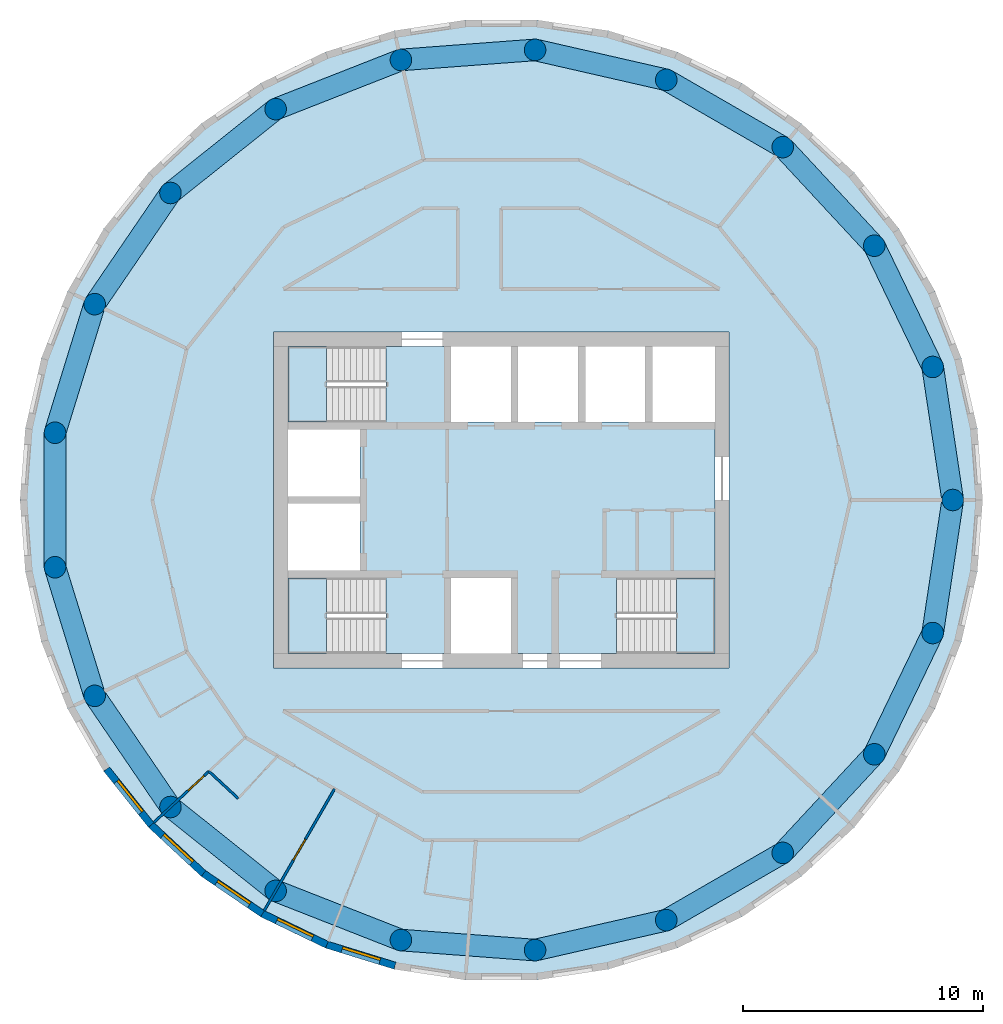
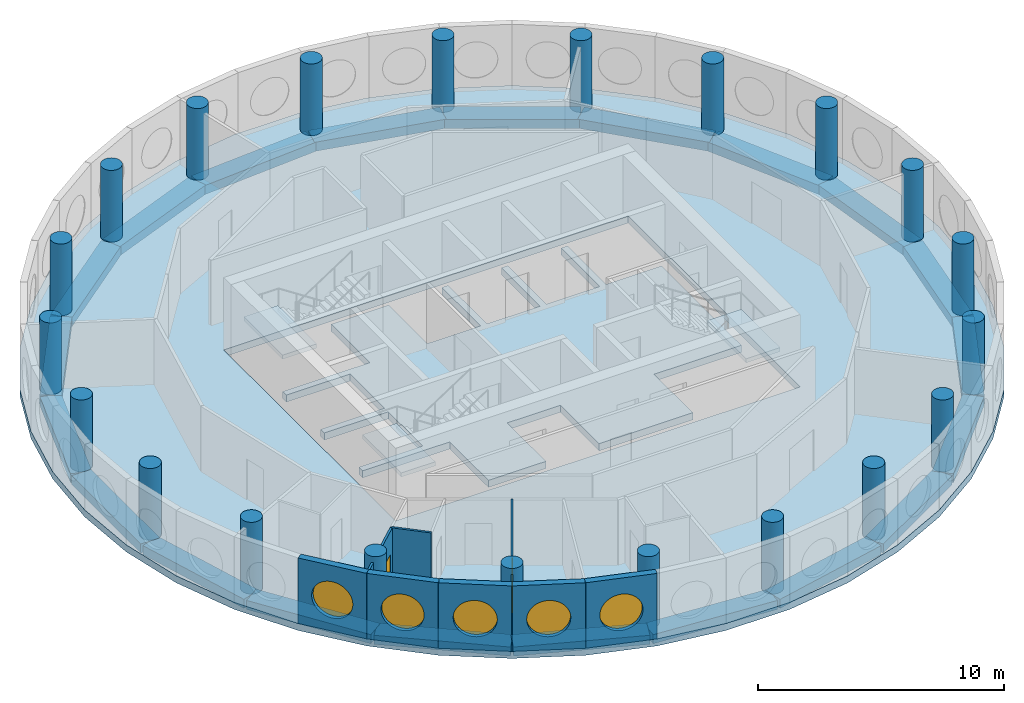
# One storey, part 1 of 12: 21 beams, 21 columns, 8 walls, 5 slabs, 5 windows, 2 doors, 7 openings, 3 elements without a shape of their own.
"""IFC4 building model written with IfcOpenShell, lengths in metres."""

import ifcopenshell
import ifcopenshell.guid

model = None  # the IFC model being written
_history = None  # IfcOwnerHistory: only IFC2X3 demands one
_inside = {}  # id of a spatial element -> (the spatial element, [elements in it])
_under = {}  # id of a project, library or spatial element -> (it, [spatial elements below it])
_declared = {}  # id of a project -> (the project, [libraries it declares])
_typed = {}  # id of a type object -> (the type object, [elements of that type])
_made_of = {}  # id of a material, layer set ... -> (it, [elements and type objects made of it])


def new_model(schema):
    """Start an empty IFC model of exactly this schema.

    Asked for "IFC4X3", IfcOpenShell would pick the latest addendum, in which some entities
    have other attributes; the version numbers below select the first issue.
    IFC2X3 requires an IfcOwnerHistory on every rooted entity: one is made here for all.
    """
    global model, _history
    if schema == "IFC4X3":
        model = ifcopenshell.file(schema_version=(4, 3, 0, 0))
    else:
        model = ifcopenshell.file(schema=schema)
    _inside.clear()
    _under.clear()
    _declared.clear()
    _typed.clear()
    _made_of.clear()
    _history = None
    if model.schema == "IFC2X3":
        org = make("IfcOrganization", Name="unknown")
        user = make(
            "IfcPersonAndOrganization",
            ThePerson=make("IfcPerson", FamilyName="unknown"),
            TheOrganization=org,
        )
        app = make(
            "IfcApplication",
            ApplicationDeveloper=org,
            Version="unknown",
            ApplicationFullName="unknown",
            ApplicationIdentifier="unknown",
        )
        _history = make(
            "IfcOwnerHistory",
            OwningUser=user,
            OwningApplication=app,
            ChangeAction="ADDED",
            CreationDate=0,
        )
    return model


def make(cls, **values):
    """One entity of the class cls with the attributes given. An attribute that is None is left unset."""
    return model.create_entity(
        cls, **{name: value for name, value in values.items() if value is not None}
    )


def rooted(cls, **values):
    """An entity with a GlobalId (a new one), such as an element, a storey or a relation."""
    return make(cls, GlobalId=ifcopenshell.guid.new(), OwnerHistory=_history, **values)


def si_unit(unit_type, name, prefix=None):
    """IfcSIUnit, for example si_unit("LENGTHUNIT", "METRE", prefix="MILLI")."""
    return make("IfcSIUnit", UnitType=unit_type, Prefix=prefix, Name=name)


def assignment(units):
    """IfcUnitAssignment: the units of a project."""
    return None if units is None else make("IfcUnitAssignment", Units=units)


def point(xyz):
    """IfcCartesianPoint."""
    return None if xyz is None else make("IfcCartesianPoint", Coordinates=xyz)


def direction(xyz):
    """IfcDirection."""
    return None if xyz is None else make("IfcDirection", DirectionRatios=xyz)


def frame(location, z_axis=None, x_axis=None):
    """IfcAxis2Placement3D, a coordinate frame: its origin and axes. An axis left out is left unset."""
    return make(
        "IfcAxis2Placement3D",
        Location=point(location),
        Axis=direction(z_axis),
        RefDirection=direction(x_axis),
    )


def frame_2d(location, x_axis=None):
    """IfcAxis2Placement2D, a coordinate frame in the plane: its origin and x axis."""
    return make(
        "IfcAxis2Placement2D", Location=point(location), RefDirection=direction(x_axis)
    )


def origin():
    """The frame at (0, 0, 0) with its axes left unset."""
    return frame((0.0, 0.0, 0.0))


def origin_2d():
    """The frame at (0, 0) in the plane with its x axis left unset."""
    return frame_2d((0.0, 0.0))


def place(relative_to, where):
    """IfcLocalPlacement: puts the frame where relative to a parent placement (None: the world)."""
    return make(
        "IfcLocalPlacement", PlacementRelTo=relative_to, RelativePlacement=where
    )


def context(
    kind, dimensions, precision=None, world=None, true_north=None, identifier=None
):
    """IfcGeometricRepresentationContext, for example the 3D "Model" context."""
    return make(
        "IfcGeometricRepresentationContext",
        ContextIdentifier=identifier,
        ContextType=kind,
        CoordinateSpaceDimension=dimensions,
        Precision=precision,
        WorldCoordinateSystem=world,
        TrueNorth=true_north,
    )


def subcontext(parent, identifier, kind, view, scale=None):
    """IfcGeometricRepresentationSubContext, for example "Body" below "Model"."""
    return make(
        "IfcGeometricRepresentationSubContext",
        ContextIdentifier=identifier,
        ContextType=kind,
        ParentContext=parent,
        TargetScale=scale,
        TargetView=view,
    )


def project(units=None, contexts=None):
    """IfcProject with its units and contexts."""
    return rooted(
        "IfcProject",
        Name="project",
        RepresentationContexts=contexts,
        UnitsInContext=assignment(units),
    )


def spatial(cls, under=None, at=None, **own):
    """A site, building, storey or space (cls), placed at a placement, below another one or the project."""
    s = rooted(cls, ObjectPlacement=at, **own)
    if under is not None:
        _under.setdefault(under.id(), (under, []))[1].append(s)
    return s


def polyline(points):
    """IfcPolyline through the points."""
    return make("IfcPolyline", Points=[point(p) for p in points])


def profile(cls, at=None, kind="AREA", **sizes):
    """A parametric profile (cls). Its sizes go by their IFC names, for example OverallWidth=200.0."""
    return make(cls, ProfileType=kind, Position=at, **sizes)


def rectangle(**sizes):
    """IfcRectangleProfileDef."""
    return profile("IfcRectangleProfileDef", **sizes)


def circle(**sizes):
    """IfcCircleProfileDef."""
    return profile("IfcCircleProfileDef", **sizes)


def outline(outer, holes=None, kind="AREA"):
    """IfcArbitraryClosedProfileDef: a profile drawn as a closed curve; with holes, ...WithVoids."""
    if holes is None:
        return make("IfcArbitraryClosedProfileDef", ProfileType=kind, OuterCurve=outer)
    return make(
        "IfcArbitraryProfileDefWithVoids",
        ProfileType=kind,
        OuterCurve=outer,
        InnerCurves=holes,
    )


def extrude(swept, where, along, depth):
    """IfcExtrudedAreaSolid: the profile swept, set in the frame where, extruded along a direction by depth."""
    return make(
        "IfcExtrudedAreaSolid",
        SweptArea=swept,
        Position=where,
        ExtrudedDirection=direction(along),
        Depth=depth,
    )


def shape(context_of_items, identifier, shape_type, items):
    """IfcShapeRepresentation: the items that make up one representation, for example the "Body"."""
    return make(
        "IfcShapeRepresentation",
        ContextOfItems=context_of_items,
        RepresentationIdentifier=identifier,
        RepresentationType=shape_type,
        Items=items,
    )


def material(Name=None, Category=None):
    """IfcMaterial."""
    return make("IfcMaterial", Name=Name, Category=Category)


def layer(
    of_material, thickness, ventilated=None, Name=None, Category=None, Priority=None
):
    """IfcMaterialLayer: one layer of a wall or slab, of a material (None: an air gap)."""
    return make(
        "IfcMaterialLayer",
        Material=of_material,
        LayerThickness=thickness,
        IsVentilated=ventilated,
        Name=Name,
        Category=Category,
        Priority=Priority,
    )


def layer_set(layers, Name=None):
    """IfcMaterialLayerSet."""
    return make("IfcMaterialLayerSet", MaterialLayers=layers, LayerSetName=Name)


def material_profile(
    of_material, cross_section, Name=None, Category=None, Priority=None
):
    """IfcMaterialProfile: a cross section and its material."""
    return make(
        "IfcMaterialProfile",
        Name=Name,
        Material=of_material,
        Profile=cross_section,
        Priority=Priority,
        Category=Category,
    )


def profile_set(profiles, Name=None, composite=None):
    """IfcMaterialProfileSet."""
    return make(
        "IfcMaterialProfileSet",
        Name=Name,
        MaterialProfiles=profiles,
        CompositeProfile=composite,
    )


def made_of(thing, what):
    """Note that an element or type object is made of a material, layer set ...; save() writes the relation."""
    if what is not None:
        _made_of.setdefault(what.id(), (what, []))[1].append(thing)
    return thing


def type_object(cls, material=None, **own):
    """A type object (cls), such as IfcWallType, which elements share."""
    return made_of(rooted(cls, **own), material)


def element(
    cls,
    number,
    at=None,
    inside=None,
    cuts=None,
    type_object=None,
    material=None,
    context=None,
    identifier="Body",
    shape_type=None,
    held_by="IfcProductDefinitionShape",
    body=None,
    shapes=None,
    **own,
):
    """One element of the class cls, such as IfcWall. Its Tag is "e" and its number.

    at: its placement. inside: the storey or other place that contains it. cuts: it is an
    opening in that element (IfcRelVoidsElement). A single representation is given by context,
    identifier, shape_type and body (its items); several are given by shapes. held_by: the class
    of the entity that holds the representations. save() writes the other relations.
    """
    e = rooted(cls, Tag="e%d" % number, ObjectPlacement=at, **own)
    if body is not None:
        shapes = [shape(context, identifier, shape_type, body)]
    if shapes is not None:
        e.Representation = make(held_by, Representations=shapes)
    if inside is not None:
        _inside.setdefault(inside.id(), (inside, []))[1].append(e)
    if cuts is not None:
        rooted(
            "IfcRelVoidsElement", RelatingBuildingElement=cuts, RelatedOpeningElement=e
        )
    if type_object is not None:
        _typed.setdefault(type_object.id(), (type_object, []))[1].append(e)
    return made_of(e, material)


def fill(opening, filler):
    """IfcRelFillsElement: the door or window that sits in an opening."""
    return rooted(
        "IfcRelFillsElement",
        RelatingOpeningElement=opening,
        RelatedBuildingElement=filler,
    )


def aggregate(whole, parts):
    """IfcRelAggregates: a whole, such as a stair, and the parts it consists of."""
    return rooted("IfcRelAggregates", RelatingObject=whole, RelatedObjects=parts)


def save(model, path):
    """Write the relations noted so far, then the file.

    IfcRelAggregates (storeys below a building ...), IfcRelContainedInSpatialStructure (elements
    in a storey), IfcRelDefinesByType, IfcRelAssociatesMaterial and IfcRelDeclares: one each for
    every whole, place, type object, material and project.
    """
    for whole, parts in _under.values():
        aggregate(whole, parts)
    for where, things in _inside.values():
        rooted(
            "IfcRelContainedInSpatialStructure",
            RelatedElements=things,
            RelatingStructure=where,
        )
    for kind, things in _typed.values():
        rooted("IfcRelDefinesByType", RelatedObjects=things, RelatingType=kind)
    for what, things in _made_of.values():
        rooted("IfcRelAssociatesMaterial", RelatedObjects=things, RelatingMaterial=what)
    for by, libraries in _declared.values():
        rooted("IfcRelDeclares", RelatingContext=by, RelatedDefinitions=libraries)
    model.write(path)


model = new_model("IFC4")

# Units and contexts
model_context = context("Model", 3, precision=1e-05, world=origin(), true_north=direction((0.0, 1.0)))
body_context = subcontext(model_context, "Body", "Model", "MODEL_VIEW")
ifc_project = project(units=[si_unit("LENGTHUNIT", "METRE"), si_unit("AREAUNIT", "SQUARE_METRE"), si_unit("VOLUMEUNIT", "CUBIC_METRE"), si_unit("PLANEANGLEUNIT", "RADIAN"), si_unit("MASSUNIT", "GRAM", prefix="KILO")], contexts=[model_context])

# Site, building, storey
site_placement = place(None, origin())
site = spatial("IfcSite", under=ifc_project, at=site_placement, CompositionType="ELEMENT")
building_placement = place(site_placement, origin())
building = spatial("IfcBuilding", under=site, at=building_placement, Name="Tracery Tower", CompositionType="ELEMENT")
storey_placement = place(building_placement, frame((0.0, 0.0, 327.0)))
storey = spatial("IfcBuildingStorey", under=building, at=storey_placement, Name="L85", CompositionType="ELEMENT", Elevation=327.0)

# Columns
ifc_material_1 = material(Name="Concrete C40/50", Category="concrete")
ifc_material_profile_1 = material_profile(ifc_material_1, circle(Radius=0.449951171875, at=origin_2d()), Name="RC D900")
ifc_profile_set_1 = profile_set([ifc_material_profile_1], Name="Concrete C40/50")
column_type = type_object("IfcColumnType", Name="Ring 2 column 900", PredefinedType="COLUMN", material=ifc_profile_set_1)
for number, where, z_axis, x_axis, name in (
    (1, (18.822265625, 0.0, 0.0), (0.0, 0.0, 1.0), (1.0, 0.0, 0.0), "Ring 2 column 00 at L85"),
    (2, (17.986083984375, 5.5478515625, 0.0), (0.0, 0.0, 1.0), (1.0, 0.0, 0.0), "Ring 2 column 01 at L85"),
    (3, (15.551513671875, 10.602783203125, 0.0), (0.0, 0.0, 1.0), (1.0, 0.0, 0.0), "Ring 2 column 02 at L85"),
    (4, (11.7353515625, 14.7158203125, 0.0), (0.0, 0.0, 1.0), (1.0, 0.0, 0.0), "Ring 2 column 03 at L85"),
    (5, (6.87646484375, 17.52099609375, 0.0), (0.0, 0.0, 1.0), (1.0, 0.0, 0.0), "Ring 2 column 04 at L85"),
    (6, (1.406494140625, 18.76953125, 0.0), (0.0, 0.0, 1.0), (1.0, 0.0, 0.0), "Ring 2 column 05 at L85"),
    (7, (-4.188232421875, 18.350341796875, 0.0), (0.0, 0.0, 1.0), (1.0, 0.0, 0.0), "Ring 2 column 06 at L85"),
    (8, (-9.4111328125, 16.300537109375, 0.0), (0.0, 0.0, 1.0), (1.0, 0.0, 0.0), "Ring 2 column 07 at L85"),
    (9, (-13.797607421875, 12.802490234375, 0.0), (0.0, 0.0, 1.0), (1.0, 0.0, 0.0), "Ring 2 column 08 at L85"),
    (10, (-16.958251953125, 8.16650390625, 0.0), (0.0, 0.0, 1.0), (1.0, 0.0, 0.0), "Ring 2 column 09 at L85"),
    (11, (-18.612060546875, 2.805419921875, 0.0), (0.0, 0.0, 1.0), (1.0, 0.0, 0.0), "Ring 2 column 10 at L85"),
    (12, (-18.612060546875, -2.805419921875, 0.0), (0.0, 0.0, 1.0), (1.0, 0.0, 0.0), "Ring 2 column 11 at L85"),
    (13, (-16.958251953125, -8.166748046875, 0.0), (0.0, 0.0, 1.0), (1.0, 0.0, 0.0), "Ring 2 column 12 at L85"),
    (14, (-13.797607421875, -12.80224609375, 0.0), (0.0, 0.0, 1.0), (1.0, 0.0, 0.0), "Ring 2 column 13 at L85"),
    (15, (-9.4111328125, -16.300537109375, 0.0), (0.0, 0.0, 1.0), (1.0, 0.0, 0.0), "Ring 2 column 14 at L85"),
    (16, (-4.188232421875, -18.350341796875, 0.0), (0.0, 0.0, 1.0), (1.0, 0.0, 0.0), "Ring 2 column 15 at L85"),
    (17, (1.406494140625, -18.76953125, 0.0), (0.0, 0.0, 1.0), (1.0, 0.0, 0.0), "Ring 2 column 16 at L85"),
    (18, (6.87646484375, -17.52099609375, 0.0), (0.0, 0.0, 1.0), (1.0, 0.0, 0.0), "Ring 2 column 17 at L85"),
    (19, (11.7353515625, -14.7158203125, 0.0), (0.0, 0.0, 1.0), (1.0, 0.0, 0.0), "Ring 2 column 18 at L85"),
    (20, (15.551513671875, -10.602783203125, 0.0), (0.0, 0.0, 1.0), (1.0, 0.0, 0.0), "Ring 2 column 19 at L85"),
    (21, (17.986083984375, -5.5478515625, 0.0), (0.0, 0.0, 1.0), (1.0, 0.0, 0.0), "Ring 2 column 20 at L85"),
):
    element("IfcColumn", number, at=place(storey_placement, frame(where, z_axis=z_axis, x_axis=x_axis)), inside=storey, type_object=column_type, Name=name, PredefinedType="COLUMN", context=body_context, shape_type="SweptSolid", body=[
        extrude(circle(Radius=0.449951171875, at=origin_2d()), origin(), (0.0, 0.0, 1.0), 3.558349609375),
    ])

# Beams
ifc_material_2 = material(Name="Concrete C40/50", Category="concrete")
ifc_material_profile_2 = material_profile(ifc_material_2, rectangle(XDim=0.89990234375, YDim=0.449951171875, at=origin_2d()), Name="RC 900x450")
ifc_profile_set_2 = profile_set([ifc_material_profile_2], Name="Concrete C40/50")
beam_type = type_object("IfcBeamType", Name="Perimeter band beam 900x450", PredefinedType="BEAM", material=ifc_profile_set_2)
for number, where, z_axis, x_axis, name in (
    (22, (18.822265625, 0.0, -0.574951171875), (-0.149038355855, 0.988831415603, 0.0), (-0.988831415603, -0.149038355855, 0.0), "Perimeter beam 2.00 under L85"),
    (23, (17.986083984375, 5.5478515625, -0.574951171875), (-0.433918973155, 0.900951899235, 0.0), (-0.900951899235, -0.433918973155, 0.0), "Perimeter beam 2.01 under L85"),
):
    element("IfcBeam", number, at=place(storey_placement, frame(where, z_axis=z_axis, x_axis=x_axis)), inside=storey, type_object=beam_type, Name=name, PredefinedType="BEAM", context=body_context, shape_type="SweptSolid", body=[
        extrude(rectangle(XDim=0.89990234375, YDim=0.449951171875, at=origin_2d()), origin(), (0.0, 0.0, 1.0), 5.610595703125),
    ])
beam_1_placement = place(storey_placement, frame((15.551513671875, 10.602783203125, -0.574951171875), z_axis=(-0.680155630824, 0.733067744386, 0.0), x_axis=(-0.733067744386, -0.680155630824, 0.0)))
element("IfcBeam", 24, at=beam_1_placement, inside=storey, type_object=beam_type, Name="Perimeter beam 2.02 under L85", PredefinedType="BEAM", context=body_context, shape_type="SweptSolid", body=[
    extrude(rectangle(XDim=0.89990234375, YDim=0.449951171875, at=origin_2d()), origin(), (0.0, 0.0, 1.0), 5.61083984375),
])
for number, where, z_axis, x_axis, name in (
    (25, (11.7353515625, 14.7158203125, -0.574951171875), (-0.866033412818, 0.49998612769, 0.0), (-0.49998612769, -0.866033412818, 0.0), "Perimeter beam 2.03 under L85"),
    (26, (6.87646484375, 17.52099609375, -0.574951171875), (-0.974925977366, 0.222529410768, 0.0), (-0.222529410768, -0.974925977366, 0.0), "Perimeter beam 2.04 under L85"),
):
    element("IfcBeam", number, at=place(storey_placement, frame(where, z_axis=z_axis, x_axis=x_axis)), inside=storey, type_object=beam_type, Name=name, PredefinedType="BEAM", context=body_context, shape_type="SweptSolid", body=[
        extrude(rectangle(XDim=0.89990234375, YDim=0.449951171875, at=origin_2d()), origin(), (0.0, 0.0, 1.0), 5.610595703125),
    ])
beam_2_placement = place(storey_placement, frame((1.406494140625, 18.76953125, -0.574951171875), z_axis=(-0.997204824387, -0.07471638521, 0.0), x_axis=(0.07471638521, -0.997204824387, 0.0)))
element("IfcBeam", 27, at=beam_2_placement, inside=storey, type_object=beam_type, Name="Perimeter beam 2.05 under L85", PredefinedType="BEAM", context=body_context, shape_type="SweptSolid", body=[
    extrude(rectangle(XDim=0.89990234375, YDim=0.449951171875, at=origin_2d()), origin(), (0.0, 0.0, 1.0), 5.6103515625),
])
beam_3_placement = place(storey_placement, frame((-4.188232421875, 18.350341796875, -0.574951171875), z_axis=(-0.930875728468, -0.365335979817, 0.0), x_axis=(0.365335979817, -0.930875728468, 0.0)))
element("IfcBeam", 28, at=beam_3_placement, inside=storey, type_object=beam_type, Name="Perimeter beam 2.06 under L85", PredefinedType="BEAM", context=body_context, shape_type="SweptSolid", body=[
    extrude(rectangle(XDim=0.89990234375, YDim=0.449951171875, at=origin_2d()), origin(), (0.0, 0.0, 1.0), 5.61083984375),
])
beam_4_placement = place(storey_placement, frame((-9.4111328125, 16.300537109375, -0.574951171875), z_axis=(-0.781835817725, -0.623484365579, 0.0), x_axis=(0.623484365579, -0.781835817725, 0.0)))
element("IfcBeam", 29, at=beam_4_placement, inside=storey, type_object=beam_type, Name="Perimeter beam 2.07 under L85", PredefinedType="BEAM", context=body_context, shape_type="SweptSolid", body=[
    extrude(rectangle(XDim=0.89990234375, YDim=0.449951171875, at=origin_2d()), origin(), (0.0, 0.0, 1.0), 5.610595703125),
])
beam_5_placement = place(storey_placement, frame((-13.797607421875, 12.802490234375, -0.574951171875), z_axis=(-0.563305770578, -0.826248515178, 0.0), x_axis=(0.826248515178, -0.563305770578, 0.0)))
element("IfcBeam", 30, at=beam_5_placement, inside=storey, type_object=beam_type, Name="Perimeter beam 2.08 under L85", PredefinedType="BEAM", context=body_context, shape_type="SweptSolid", body=[
    extrude(rectangle(XDim=0.89990234375, YDim=0.449951171875, at=origin_2d()), origin(), (0.0, 0.0, 1.0), 5.61083984375),
])
beam_6_placement = place(storey_placement, frame((-16.958251953125, 8.16650390625, -0.574951171875), z_axis=(-0.294776851839, -0.955566118916, 0.0), x_axis=(0.955566118916, -0.294776851839, 0.0)))
element("IfcBeam", 31, at=beam_6_placement, inside=storey, type_object=beam_type, Name="Perimeter beam 2.09 under L85", PredefinedType="BEAM", context=body_context, shape_type="SweptSolid", body=[
    extrude(rectangle(XDim=0.89990234375, YDim=0.449951171875, at=origin_2d()), origin(), (0.0, 0.0, 1.0), 5.6103515625),
])
beam_7_placement = place(storey_placement, frame((-18.612060546875, 2.805419921875, -0.574951171875), z_axis=(0.0, -1.0, 0.0), x_axis=(1.0, 0.0, 0.0)))
element("IfcBeam", 32, at=beam_7_placement, inside=storey, type_object=beam_type, Name="Perimeter beam 2.10 under L85", PredefinedType="BEAM", context=body_context, shape_type="SweptSolid", body=[
    extrude(rectangle(XDim=0.89990234375, YDim=0.449951171875, at=origin_2d()), origin(), (0.0, 0.0, 1.0), 5.61083984375),
])
for number, where, z_axis, x_axis, name in (
    (33, (-18.612060546875, -2.805419921875, -0.574951171875), (0.294764594813, -0.955569899926, 0.0), (0.955569899926, 0.294764594813, 0.0), "Perimeter beam 2.11 under L85"),
    (34, (-16.958251953125, -8.166748046875, -0.574951171875), (0.5633462764, -0.826220898348, 0.0), (0.826220898348, 0.5633462764, 0.0), "Perimeter beam 2.12 under L85"),
    (35, (-13.797607421875, -12.80224609375, -0.574951171875), (0.781814605872, -0.623510963853, 0.0), (0.623510963853, 0.781814605872, 0.0), "Perimeter beam 2.13 under L85"),
):
    element("IfcBeam", number, at=place(storey_placement, frame(where, z_axis=z_axis, x_axis=x_axis)), inside=storey, type_object=beam_type, Name=name, PredefinedType="BEAM", context=body_context, shape_type="SweptSolid", body=[
        extrude(rectangle(XDim=0.89990234375, YDim=0.449951171875, at=origin_2d()), origin(), (0.0, 0.0, 1.0), 5.610595703125),
    ])
beam_8_placement = place(storey_placement, frame((-9.4111328125, -16.300537109375, -0.574951171875), z_axis=(0.930875728468, -0.365335979817, 0.0), x_axis=(0.365335979817, 0.930875728468, 0.0)))
element("IfcBeam", 36, at=beam_8_placement, inside=storey, type_object=beam_type, Name="Perimeter beam 2.14 under L85", PredefinedType="BEAM", context=body_context, shape_type="SweptSolid", body=[
    extrude(rectangle(XDim=0.89990234375, YDim=0.449951171875, at=origin_2d()), origin(), (0.0, 0.0, 1.0), 5.61083984375),
])
beam_9_placement = place(storey_placement, frame((-4.188232421875, -18.350341796875, -0.574951171875), z_axis=(0.997204824387, -0.07471638521, 0.0), x_axis=(0.07471638521, 0.997204824387, 0.0)))
element("IfcBeam", 37, at=beam_9_placement, inside=storey, type_object=beam_type, Name="Perimeter beam 2.15 under L85", PredefinedType="BEAM", context=body_context, shape_type="SweptSolid", body=[
    extrude(rectangle(XDim=0.89990234375, YDim=0.449951171875, at=origin_2d()), origin(), (0.0, 0.0, 1.0), 5.6103515625),
])
for number, where, z_axis, x_axis, name in (
    (38, (1.406494140625, -18.76953125, -0.574951171875), (0.974925977366, 0.222529410768, 0.0), (-0.222529410768, 0.974925977366, 0.0), "Perimeter beam 2.16 under L85"),
    (39, (6.87646484375, -17.52099609375, -0.574951171875), (0.866033412818, 0.49998612769, 0.0), (-0.49998612769, 0.866033412818, 0.0), "Perimeter beam 2.17 under L85"),
):
    element("IfcBeam", number, at=place(storey_placement, frame(where, z_axis=z_axis, x_axis=x_axis)), inside=storey, type_object=beam_type, Name=name, PredefinedType="BEAM", context=body_context, shape_type="SweptSolid", body=[
        extrude(rectangle(XDim=0.89990234375, YDim=0.449951171875, at=origin_2d()), origin(), (0.0, 0.0, 1.0), 5.610595703125),
    ])
beam_10_placement = place(storey_placement, frame((11.7353515625, -14.7158203125, -0.574951171875), z_axis=(0.680155630824, 0.733067744386, 0.0), x_axis=(-0.733067744386, 0.680155630824, 0.0)))
element("IfcBeam", 40, at=beam_10_placement, inside=storey, type_object=beam_type, Name="Perimeter beam 2.18 under L85", PredefinedType="BEAM", context=body_context, shape_type="SweptSolid", body=[
    extrude(rectangle(XDim=0.89990234375, YDim=0.449951171875, at=origin_2d()), origin(), (0.0, 0.0, 1.0), 5.61083984375),
])
for number, where, z_axis, x_axis, name in (
    (41, (15.551513671875, -10.602783203125, -0.574951171875), (0.433918973155, 0.900951899235, 0.0), (-0.900951899235, 0.433918973155, 0.0), "Perimeter beam 2.19 under L85"),
    (42, (17.986083984375, -5.5478515625, -0.574951171875), (0.149038355855, 0.988831415603, 0.0), (-0.988831415603, 0.149038355855, 0.0), "Perimeter beam 2.20 under L85"),
):
    element("IfcBeam", number, at=place(storey_placement, frame(where, z_axis=z_axis, x_axis=x_axis)), inside=storey, type_object=beam_type, Name=name, PredefinedType="BEAM", context=body_context, shape_type="SweptSolid", body=[
        extrude(rectangle(XDim=0.89990234375, YDim=0.449951171875, at=origin_2d()), origin(), (0.0, 0.0, 1.0), 5.610595703125),
    ])

# Slabs
ifc_material_3 = material(Name="Concrete C40/50", Category="concrete")
ifc_layer_1 = layer(ifc_material_3, 0.35009765625)
ifc_layer_set_1 = layer_set([ifc_layer_1], Name="Core floor slab 350 C40")
slab_type_1 = type_object("IfcSlabType", Name="Core floor slab 350 C40", PredefinedType="FLOOR", material=ifc_layer_set_1)
slab_1_placement = place(storey_placement, frame((0.0, 0.0, -0.35009765625)))
element("IfcSlab", 43, at=slab_1_placement, inside=storey, type_object=slab_type_1, Name="L85 core floor 1", PredefinedType="FLOOR", context=body_context, shape_type="SweptSolid", body=[
    extrude(outline(polyline([(-4.800537109375, -3.25), (-8.89990234375, -3.25), (-8.89990234375, -2.949951171875), (-5.89990234375, -2.949951171875), (-5.89990234375, -0.14990234375), (-8.89990234375, -0.14990234375), (-8.89990234375, 0.14990234375), (-5.89990234375, 0.14990234375), (-5.89990234375, 2.949951171875), (-8.89990234375, 2.949951171875), (-8.89990234375, 3.25), (-4.800537109375, 3.25), (-4.800537109375, 6.39990234375), (-2.10009765625, 6.39990234375), (-2.10009765625, 3.25), (0.39990234375, 3.25), (0.39990234375, 6.39990234375), (0.699951171875, 6.39990234375), (0.699951171875, 3.25), (3.199951171875, 3.25), (3.199951171875, 6.39990234375), (3.5, 6.39990234375), (3.5, 3.25), (6.0, 3.25), (6.0, 6.39990234375), (6.300048828125, 6.39990234375), (6.300048828125, 3.25), (8.89990234375, 3.25), (8.89990234375, -3.25), (4.800537109375, -3.25), (4.800537109375, -6.39990234375), (0.39990234375, -6.39990234375), (0.39990234375, -3.25), (-2.10009765625, -3.25), (-2.10009765625, -6.39990234375), (-4.800537109375, -6.39990234375), (-4.800537109375, -3.25)])), origin(), (0.0, 0.0, 1.0), 0.35009765625),
])
ifc_material_4 = material(Name="Concrete C40/50", Category="concrete")
ifc_layer_2 = layer(ifc_material_4, 0.35009765625)
ifc_layer_set_2 = layer_set([ifc_layer_2], Name="Floor slab 350")
slab_type_2 = type_object("IfcSlabType", Name="Floor slab 350", PredefinedType="FLOOR", material=ifc_layer_set_2)
slab_2_placement = place(storey_placement, frame((0.0, 0.0, -0.35009765625)))
element("IfcSlab", 44, at=slab_2_placement, inside=storey, type_object=slab_type_2, Name="Floor slab L85", PredefinedType="FLOOR", context=body_context, shape_type="SweptSolid", body=[
    extrude(outline(polyline([(20.072265625, 0.0), (19.847900390625, 2.99169921875), (19.180419921875, 5.91650390625), (18.08447265625, 8.708984375), (16.58447265625, 11.30712890625), (14.714111328125, 13.652587890625), (12.514892578125, 15.693115234375), (10.0361328125, 17.383056640625), (7.333251953125, 18.684814453125), (4.466552734375, 19.56884765625), (1.5, 20.01611328125), (-1.5, 20.01611328125), (-4.466552734375, 19.56884765625), (-7.333251953125, 18.684814453125), (-10.0361328125, 17.383056640625), (-12.514892578125, 15.693115234375), (-14.714111328125, 13.652587890625), (-16.58447265625, 11.30712890625), (-18.08447265625, 8.708984375), (-19.180419921875, 5.91650390625), (-19.847900390625, 2.99169921875), (-20.072265625, 0.0), (-19.847900390625, -2.99169921875), (-19.180419921875, -5.91650390625), (-18.08447265625, -8.708984375), (-16.58447265625, -11.30712890625), (-14.714111328125, -13.652587890625), (-12.514892578125, -15.693115234375), (-10.0361328125, -17.383056640625), (-7.333251953125, -18.684814453125), (-4.466552734375, -19.56884765625), (-1.5, -20.01611328125), (1.5, -20.01611328125), (4.466552734375, -19.56884765625), (7.333251953125, -18.684814453125), (10.0361328125, -17.383056640625), (12.514892578125, -15.693115234375), (14.714111328125, -13.652587890625), (16.58447265625, -11.30712890625), (18.08447265625, -8.708984375), (19.180419921875, -5.91650390625), (19.847900390625, -2.99169921875), (20.072265625, 0.0)]), holes=[polyline([(-9.5, -7.0), (9.5, -7.0), (9.5, 7.0), (-9.5, 7.0), (-9.5, -7.0)])]), origin(), (0.0, 0.0, 1.0), 0.35009765625),
])

# Stair, slab
ifc_material_5 = material(Name="Concrete C32/40", Category="concrete")
stair_type = type_object("IfcStairType", Name="Core stair 22 risers", PredefinedType="HALF_TURN_STAIR", material=ifc_material_5)
stair_1_placement = place(storey_placement, origin())
stair_1 = element("IfcStair", 45, at=stair_1_placement, inside=storey, type_object=stair_type, Name="L85 stair ST1", PredefinedType="HALF_TURN_STAIR")
ifc_material_6 = material(Name="Concrete C32/40", Category="concrete")
ifc_layer_3 = layer(ifc_material_6, 0.199951171875)
ifc_layer_set_3 = layer_set([ifc_layer_3], Name="Stair landing slab 200")
slab_type_3 = type_object("IfcSlabType", Name="Stair landing slab 200", PredefinedType="LANDING", material=ifc_layer_set_3)
slab_3_placement = place(storey_placement, frame((0.0, 0.0, 1.60009765625)))
slab_3 = element("IfcSlab", 46, at=slab_3_placement, type_object=slab_type_3, Name="ST1 landing 1", PredefinedType="LANDING", context=body_context, shape_type="SweptSolid", body=[
    extrude(outline(polyline([(-7.29931640625, -3.25), (-8.89990234375, -3.25), (-8.89990234375, -6.39990234375), (-7.29931640625, -6.39990234375), (-7.29931640625, -3.25)])), origin(), (0.0, 0.0, 1.0), 0.199951171875),
])
aggregate(stair_1, [slab_3])

stair_2_placement = place(storey_placement, origin())
stair_2 = element("IfcStair", 47, at=stair_2_placement, inside=storey, type_object=stair_type, Name="L85 stair ST3", PredefinedType="HALF_TURN_STAIR")
slab_4_placement = place(storey_placement, frame((0.0, 0.0, 1.60009765625)))
slab_4 = element("IfcSlab", 48, at=slab_4_placement, type_object=slab_type_3, Name="ST3 landing 1", PredefinedType="LANDING", context=body_context, shape_type="SweptSolid", body=[
    extrude(outline(polyline([(-7.29931640625, 6.39990234375), (-8.89990234375, 6.39990234375), (-8.89990234375, 3.25), (-7.29931640625, 3.25), (-7.29931640625, 6.39990234375)])), origin(), (0.0, 0.0, 1.0), 0.199951171875),
])
aggregate(stair_2, [slab_4])

stair_3_placement = place(storey_placement, origin())
stair_3 = element("IfcStair", 49, at=stair_3_placement, inside=storey, type_object=stair_type, Name="L85 stair ST2", PredefinedType="HALF_TURN_STAIR")
slab_5_placement = place(storey_placement, frame((0.0, 0.0, 1.60009765625)))
slab_5 = element("IfcSlab", 50, at=slab_5_placement, type_object=slab_type_3, Name="ST2 landing 1", PredefinedType="LANDING", context=body_context, shape_type="SweptSolid", body=[
    extrude(outline(polyline([(7.29931640625, -6.39990234375), (8.89990234375, -6.39990234375), (8.89990234375, -3.25), (7.29931640625, -3.25), (7.29931640625, -6.39990234375)])), origin(), (0.0, 0.0, 1.0), 0.199951171875),
])
aggregate(stair_3, [slab_5])

# Wall, opening, window
ifc_material_7 = material(Name="Precast concrete C50/60", Category="concrete")
ifc_layer_4 = layer(ifc_material_7, 0.300048828125)
ifc_layer_set_4 = layer_set([ifc_layer_4], Name="Facade panel 3000 x 3250")
wall_type_1 = type_object("IfcWallType", Name="Facade panel 3000 x 3250", PredefinedType="SOLIDWALL", material=ifc_layer_set_4)
wall_1_placement = place(storey_placement, frame((-16.460205078125, -11.222412109375, 0.0), z_axis=(0.0, 0.0, 1.0), x_axis=(0.623494374707, -0.781827835722, 0.0)))
wall_1 = element("IfcWall", 51, at=wall_1_placement, inside=storey, type_object=wall_type_1, Name="Facade panel 26 at L85", PredefinedType="SOLIDWALL", context=body_context, shape_type="SweptSolid", body=[
    extrude(rectangle(XDim=2.9775390625, YDim=0.300048828125, at=frame_2d((1.48876953125, 0.0))), origin(), (0.0, 0.0, 1.0), 3.25),
])
opening_1_placement = place(wall_1_placement, frame((1.48876953125, 0.0, 1.5498046875)))
opening_1 = element("IfcOpeningElement", 52, at=opening_1_placement, cuts=wall_1, Name="Opening WN1", PredefinedType="OPENING", context=body_context, shape_type="SweptSolid", body=[
    extrude(circle(Radius=0.9000244140625, at=origin_2d()), frame((0.0, 0.159912109375, 0.0), z_axis=(0.0, -1.0, 0.0), x_axis=(1.0, 0.0, 0.0)), (0.0, 0.0, 1.0), 0.320068359375),
])
ifc_material_8 = material(Name="Aluminium frame with tinted double glazing", Category="aluminium")
window_type = type_object("IfcWindowType", Name="Round window 1800", PartitioningType="SINGLE_PANEL", PredefinedType="WINDOW", material=ifc_material_8)
window_1_placement = place(opening_1_placement, origin())
window_1 = element("IfcWindow", 53, at=window_1_placement, inside=storey, type_object=window_type, Name="Round window 26 at L85", OverallHeight=1.800048828125, OverallWidth=1.800048828125, PartitioningType="SINGLE_PANEL", PredefinedType="WINDOW", context=body_context, shape_type="SweptSolid", body=[
    extrude(circle(Radius=0.9000244140625, at=origin_2d()), frame((0.0, 0.1201171875, 0.0), z_axis=(0.0, -1.0, 0.0), x_axis=(1.0, 0.0, 0.0)), (0.0, 0.0, 1.0), 0.10009765625),
])
fill(opening_1, window_1)

wall_2_placement = place(storey_placement, frame((-14.603759765625, -13.55029296875, 0.0), z_axis=(0.0, 0.0, 1.0), x_axis=(0.733056277766, -0.68016798927, 0.0)))
wall_2 = element("IfcWall", 54, at=wall_2_placement, inside=storey, type_object=wall_type_1, Name="Facade panel 27 at L85", PredefinedType="SOLIDWALL", context=body_context, shape_type="SweptSolid", body=[
    extrude(rectangle(XDim=2.9775390625, YDim=0.300048828125, at=frame_2d((1.48876953125, 0.0))), origin(), (0.0, 0.0, 1.0), 3.25),
])
opening_2_placement = place(wall_2_placement, frame((1.48876953125, 0.0, 1.5498046875)))
opening_2 = element("IfcOpeningElement", 55, at=opening_2_placement, cuts=wall_2, Name="Opening WN1", PredefinedType="OPENING", context=body_context, shape_type="SweptSolid", body=[
    extrude(circle(Radius=0.9000244140625, at=origin_2d()), frame((0.0, 0.159912109375, 0.0), z_axis=(0.0, -1.0, 0.0), x_axis=(1.0, 0.0, 0.0)), (0.0, 0.0, 1.0), 0.320068359375),
])
window_2_placement = place(opening_2_placement, origin())
window_2 = element("IfcWindow", 56, at=window_2_placement, inside=storey, type_object=window_type, Name="Round window 27 at L85", OverallHeight=1.800048828125, OverallWidth=1.800048828125, PartitioningType="SINGLE_PANEL", PredefinedType="WINDOW", context=body_context, shape_type="SweptSolid", body=[
    extrude(circle(Radius=0.9000244140625, at=origin_2d()), frame((0.0, 0.1201171875, 0.0), z_axis=(0.0, -1.0, 0.0), x_axis=(1.0, 0.0, 0.0)), (0.0, 0.0, 1.0), 0.10009765625),
])
fill(opening_2, window_2)

wall_3_placement = place(storey_placement, frame((-12.421142578125, -15.575439453125, 0.0), z_axis=(0.0, 0.0, 1.0), x_axis=(0.826253362584, -0.56329866041, 0.0)))
wall_3 = element("IfcWall", 57, at=wall_3_placement, inside=storey, type_object=wall_type_1, Name="Facade panel 28 at L85", PredefinedType="SOLIDWALL", context=body_context, shape_type="SweptSolid", body=[
    extrude(rectangle(XDim=2.9775390625, YDim=0.300048828125, at=frame_2d((1.48876953125, 0.0))), origin(), (0.0, 0.0, 1.0), 3.25),
])
opening_3_placement = place(wall_3_placement, frame((1.48876953125, 0.0, 1.5498046875)))
opening_3 = element("IfcOpeningElement", 58, at=opening_3_placement, cuts=wall_3, Name="Opening WN1", PredefinedType="OPENING", context=body_context, shape_type="SweptSolid", body=[
    extrude(circle(Radius=0.9000244140625, at=origin_2d()), frame((0.0, 0.159912109375, 0.0), z_axis=(0.0, -1.0, 0.0), x_axis=(1.0, 0.0, 0.0)), (0.0, 0.0, 1.0), 0.320068359375),
])
window_3_placement = place(opening_3_placement, origin())
window_3 = element("IfcWindow", 59, at=window_3_placement, inside=storey, type_object=window_type, Name="Round window 28 at L85", OverallHeight=1.800048828125, OverallWidth=1.800048828125, PartitioningType="SINGLE_PANEL", PredefinedType="WINDOW", context=body_context, shape_type="SweptSolid", body=[
    extrude(circle(Radius=0.9000244140625, at=origin_2d()), frame((0.0, 0.1201171875, 0.0), z_axis=(0.0, -1.0, 0.0), x_axis=(1.0, 0.0, 0.0)), (0.0, 0.0, 1.0), 0.10009765625),
])
fill(opening_3, window_3)

wall_4_placement = place(storey_placement, frame((-9.9609375, -17.252685546875, 0.0), z_axis=(0.0, 0.0, 1.0), x_axis=(0.900954184324, -0.433914228562, 0.0)))
wall_4 = element("IfcWall", 60, at=wall_4_placement, inside=storey, type_object=wall_type_1, Name="Facade panel 29 at L85", PredefinedType="SOLIDWALL", context=body_context, shape_type="SweptSolid", body=[
    extrude(rectangle(XDim=2.9775390625, YDim=0.300048828125, at=frame_2d((1.48876953125, 0.0))), origin(), (0.0, 0.0, 1.0), 3.25),
])
opening_4_placement = place(wall_4_placement, frame((1.48876953125, 0.0, 1.5498046875)))
opening_4 = element("IfcOpeningElement", 61, at=opening_4_placement, cuts=wall_4, Name="Opening WN1", PredefinedType="OPENING", context=body_context, shape_type="SweptSolid", body=[
    extrude(circle(Radius=0.9000244140625, at=origin_2d()), frame((0.0, 0.159912109375, 0.0), z_axis=(0.0, -1.0, 0.0), x_axis=(1.0, 0.0, 0.0)), (0.0, 0.0, 1.0), 0.320068359375),
])
window_4_placement = place(opening_4_placement, origin())
window_4 = element("IfcWindow", 62, at=window_4_placement, inside=storey, type_object=window_type, Name="Round window 29 at L85", OverallHeight=1.800048828125, OverallWidth=1.800048828125, PartitioningType="SINGLE_PANEL", PredefinedType="WINDOW", context=body_context, shape_type="SweptSolid", body=[
    extrude(circle(Radius=0.9000244140625, at=origin_2d()), frame((0.0, 0.1201171875, 0.0), z_axis=(0.0, -1.0, 0.0), x_axis=(1.0, 0.0, 0.0)), (0.0, 0.0, 1.0), 0.10009765625),
])
fill(opening_4, window_4)

wall_5_placement = place(storey_placement, frame((-7.2783203125, -18.544677734375, 0.0), z_axis=(0.0, 0.0, 1.0), x_axis=(0.955567792294, -0.294771427261, 0.0)))
wall_5 = element("IfcWall", 63, at=wall_5_placement, inside=storey, type_object=wall_type_1, Name="Facade panel 30 at L85", PredefinedType="SOLIDWALL", context=body_context, shape_type="SweptSolid", body=[
    extrude(rectangle(XDim=2.9775390625, YDim=0.300048828125, at=frame_2d((1.48876953125, 0.0))), origin(), (0.0, 0.0, 1.0), 3.25),
])
opening_5_placement = place(wall_5_placement, frame((1.48876953125, 0.0, 1.5498046875)))
opening_5 = element("IfcOpeningElement", 64, at=opening_5_placement, cuts=wall_5, Name="Opening WN1", PredefinedType="OPENING", context=body_context, shape_type="SweptSolid", body=[
    extrude(circle(Radius=0.9000244140625, at=origin_2d()), frame((0.0, 0.159912109375, 0.0), z_axis=(0.0, -1.0, 0.0), x_axis=(1.0, 0.0, 0.0)), (0.0, 0.0, 1.0), 0.320068359375),
])
window_5_placement = place(opening_5_placement, origin())
window_5 = element("IfcWindow", 65, at=window_5_placement, inside=storey, type_object=window_type, Name="Round window 30 at L85", OverallHeight=1.800048828125, OverallWidth=1.800048828125, PartitioningType="SINGLE_PANEL", PredefinedType="WINDOW", context=body_context, shape_type="SweptSolid", body=[
    extrude(circle(Radius=0.9000244140625, at=origin_2d()), frame((0.0, 0.1201171875, 0.0), z_axis=(0.0, -1.0, 0.0), x_axis=(1.0, 0.0, 0.0)), (0.0, 0.0, 1.0), 0.10009765625),
])
fill(opening_5, window_5)

# Wall, opening, door
ifc_material_9 = material(Name="Plasterboard on steel studs", Category="steel")
ifc_layer_5 = layer(ifc_material_9, 0.10009765625)
ifc_layer_set_5 = layer_set([ifc_layer_5], Name="Partition 100 stud")
wall_type_2 = type_object("IfcWallType", Name="Partition 100 stud", PredefinedType="PARTITIONING", material=ifc_layer_set_5)
wall_6_placement = place(storey_placement, frame((-9.885986328125, -17.1220703125, 0.0), z_axis=(0.0, 0.0, 1.0), x_axis=(0.500022903925, 0.866012179793, 0.0)))
wall_6 = element("IfcWall", 66, at=wall_6_placement, inside=storey, type_object=wall_type_2, Name="Stud partition RC10-044", PredefinedType="PARTITIONING", context=body_context, shape_type="SweptSolid", body=[
    extrude(rectangle(XDim=5.861572265625, YDim=0.10009765625, at=frame_2d((2.9306640625, 0.0))), origin(), (0.0, 0.0, 1.0), 3.25),
])
opening_6_placement = place(wall_6_placement, frame((2.430419921875, 0.0, 0.0)))
opening_6 = element("IfcOpeningElement", 67, at=opening_6_placement, cuts=wall_6, Name="Opening RC10-09", PredefinedType="OPENING", context=body_context, shape_type="SweptSolid", body=[
    extrude(rectangle(XDim=1.0, YDim=2.0400390625, at=frame_2d((0.5, 1.02001953125))), frame((0.0, 0.050048828125, 0.0), z_axis=(0.0, -1.0, 0.0), x_axis=(1.0, 0.0, 0.0)), (0.0, 0.0, 1.0), 0.10009765625),
])
ifc_material_10 = material(Name="Timber door leaf", Category="wood")
door_type_1 = type_object("IfcDoorType", Name="Door communal room 1000", OperationType="NOTDEFINED", PredefinedType="DOOR", material=ifc_material_10)
door_1_placement = place(opening_6_placement, origin())
door_1 = element("IfcDoor", 68, at=door_1_placement, inside=storey, type_object=door_type_1, Name="Communal room door RC10-09", OperationType="SINGLE_SWING_RIGHT", OverallHeight=2.0400390625, OverallWidth=1.0, PredefinedType="DOOR", context=body_context, shape_type="SweptSolid", body=[
    extrude(rectangle(XDim=1.0, YDim=2.0400390625, at=frame_2d((0.5, 1.02001953125))), frame((0.0, 0.02490234375, 0.0), z_axis=(0.0, -1.0, 0.0), x_axis=(1.0, 0.0, 0.0)), (0.0, 0.0, 1.0), 0.050048828125),
])
fill(opening_6, door_1)

wall_7_placement = place(storey_placement, frame((-14.492919921875, -13.447998046875, 0.0), z_axis=(0.0, 0.0, 1.0), x_axis=(0.732887738731, 0.680349588387, 0.0)))
wall_7 = element("IfcWall", 69, at=wall_7_placement, inside=storey, type_object=wall_type_2, Name="Stud partition RC10-047", PredefinedType="PARTITIONING", context=body_context, shape_type="SweptSolid", body=[
    extrude(rectangle(XDim=3.13671875, YDim=0.10009765625, at=frame_2d((1.568359375, 0.0))), origin(), (0.0, 0.0, 1.0), 3.25),
])
opening_7_placement = place(wall_7_placement, frame((1.9599609375, 0.0, 0.0)))
opening_7 = element("IfcOpeningElement", 70, at=opening_7_placement, cuts=wall_7, Name="Opening RC10-11", PredefinedType="OPENING", context=body_context, shape_type="SweptSolid", body=[
    extrude(rectangle(XDim=0.89990234375, YDim=2.10009765625, at=frame_2d((0.449951171875, 1.050048828125))), frame((0.0, 0.050048828125, 0.0), z_axis=(0.0, -1.0, 0.0), x_axis=(1.0, 0.0, 0.0)), (0.0, 0.0, 1.0), 0.10009765625),
])
ifc_material_11 = material(Name="Timber door leaf", Category="wood")
door_type_2 = type_object("IfcDoorType", Name="Door bedroom 900", OperationType="NOTDEFINED", PredefinedType="DOOR", material=ifc_material_11)
door_2_placement = place(opening_7_placement, origin())
door_2 = element("IfcDoor", 71, at=door_2_placement, inside=storey, type_object=door_type_2, Name="Bedroom door RC10-11", OperationType="SINGLE_SWING_RIGHT", OverallHeight=2.10009765625, OverallWidth=0.89990234375, PredefinedType="DOOR", context=body_context, shape_type="SweptSolid", body=[
    extrude(rectangle(XDim=0.89990234375, YDim=2.10009765625, at=frame_2d((0.449951171875, 1.050048828125))), frame((0.0, 0.02490234375, 0.0), z_axis=(0.0, -1.0, 0.0), x_axis=(1.0, 0.0, 0.0)), (0.0, 0.0, 1.0), 0.050048828125),
])
fill(opening_7, door_2)

# Wall
ifc_material_12 = material(Name="Plasterboard on steel studs", Category="steel")
ifc_layer_6 = layer(ifc_material_12, 0.10009765625)
ifc_layer_set_6 = layer_set([ifc_layer_6], Name="Partition 100 wet wall")
wall_type_3 = type_object("IfcWallType", Name="Partition 100 wet wall", PredefinedType="PARTITIONING", material=ifc_layer_set_6)
wall_8_placement = place(storey_placement, frame((-12.194091796875, -11.31396484375, 0.0), z_axis=(0.0, 0.0, 1.0), x_axis=(0.733064860014, -0.680158739569, 0.0)))
element("IfcWall", 72, at=wall_8_placement, inside=storey, type_object=wall_type_3, Name="Wet wall RC10-045", PredefinedType="PARTITIONING", context=body_context, shape_type="SweptSolid", body=[
    extrude(rectangle(XDim=1.665771484375, YDim=0.10009765625, at=frame_2d((0.8330078125, 0.0))), origin(), (0.0, 0.0, 1.0), 3.25),
])

save(model, "model.ifc")
